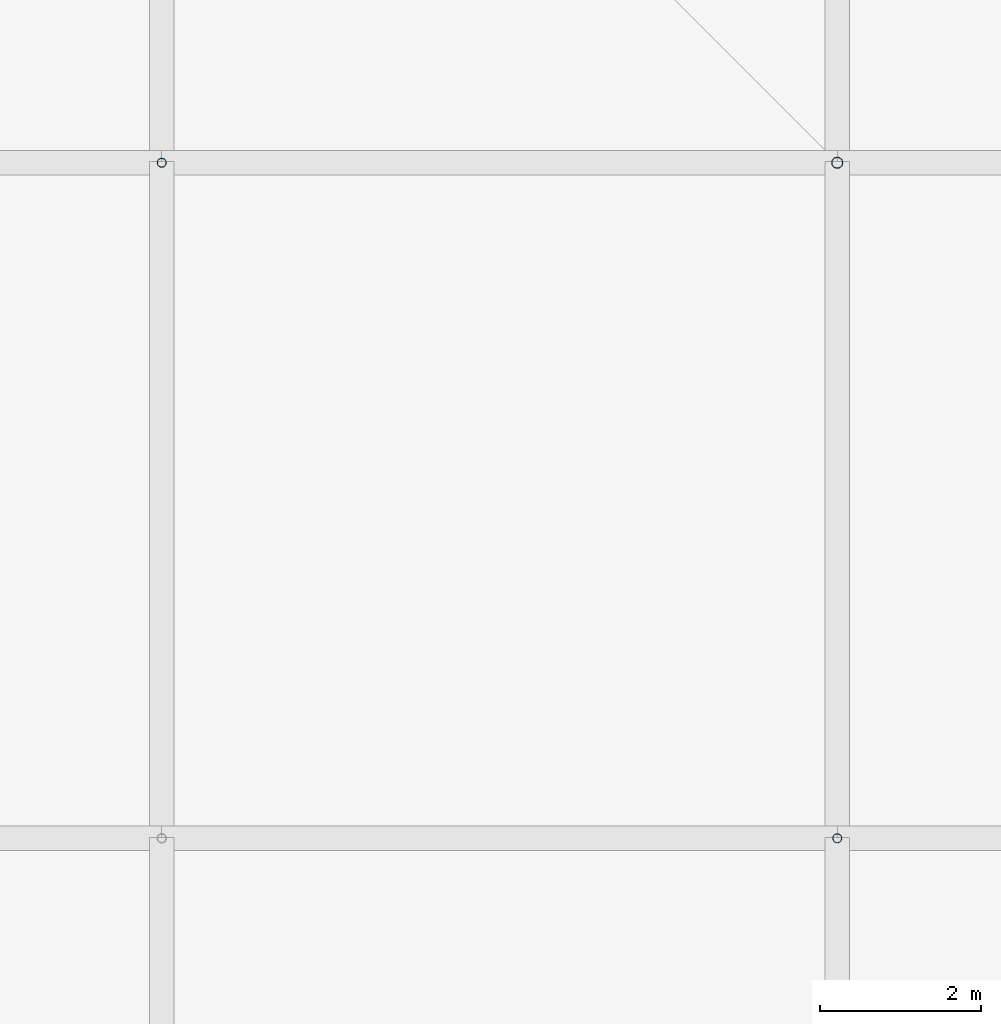
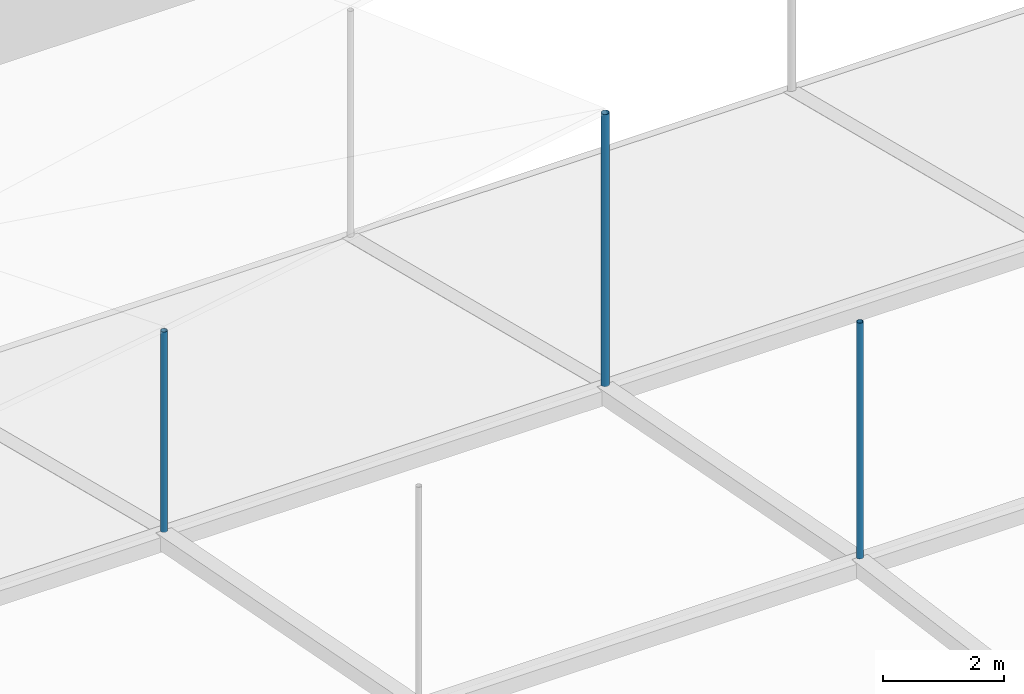
# One storey, part 55 of 111: 3 discrete accessories.
"""IFC4 building model written with IfcOpenShell, lengths in metres."""

from ifc_helpers import new_model, si_unit, direction, frame, origin, origin_2d, place, context, subcontext, project, spatial, hollow_circle, extrude, material, material_profile, profile_set, type_object, element, save


model = new_model("IFC4")

# Units and contexts
model_context = context("Model", 3, precision=1e-05, world=origin(), true_north=direction((0.0, 1.0)))
body_context = subcontext(model_context, "Body", "Model", "MODEL_VIEW")
ifc_project = project(units=[si_unit("LENGTHUNIT", "METRE"), si_unit("AREAUNIT", "SQUARE_METRE"), si_unit("VOLUMEUNIT", "CUBIC_METRE"), si_unit("PLANEANGLEUNIT", "RADIAN"), si_unit("MASSUNIT", "GRAM", prefix="KILO")], contexts=[model_context])

# Site, building, storey
site_placement = place(None, origin())
site = spatial("IfcSite", under=ifc_project, at=site_placement, CompositionType="ELEMENT")
building_placement = place(site_placement, origin())
building = spatial("IfcBuilding", under=site, at=building_placement, Name="Rain Tree Exposition and Congress Centre", CompositionType="ELEMENT")
storey_placement = place(building_placement, frame((0.0, 0.0, 19.5)))
storey = spatial("IfcBuildingStorey", under=building, at=storey_placement, Name="RF", CompositionType="ELEMENT", Elevation=19.5)

# Discrete accessories
ifc_material_1 = material(Name="Steel S355J2H", Category="steel")
ifc_material_profile_1 = material_profile(ifc_material_1, hollow_circle(Radius=0.05712890625, WallThickness=0.00439453125, at=origin_2d()), Name="CHS 114x4.5")
ifc_profile_set_1 = profile_set([ifc_material_profile_1], Name="Steel S355J2H")
discrete_accessory_type_1 = type_object("IfcDiscreteAccessoryType", Name="Roof skin post CHS 114x4.5", PredefinedType="BRACKET", material=ifc_profile_set_1)
discrete_accessory_1_placement = place(storey_placement, frame((25.199951171875, 176.39990234375, 4.843017578125), z_axis=(0.0, 0.0, 1.0), x_axis=(1.0, 0.0, 0.0)))
element("IfcDiscreteAccessory", 1, at=discrete_accessory_1_placement, inside=storey, type_object=discrete_accessory_type_1, Name="Roof skin post A138", PredefinedType="BRACKET", context=body_context, shape_type="SweptSolid", body=[
    extrude(hollow_circle(Radius=0.05712890625, WallThickness=0.00439453125, at=origin_2d()), origin(), (0.0, 0.0, 1.0), 4.748046875),
])
discrete_accessory_2_placement = place(storey_placement, frame((16.800048828125, 184.800048828125, 3.22412109375), z_axis=(0.0, 0.0, 1.0), x_axis=(1.0, 0.0, 0.0)))
element("IfcDiscreteAccessory", 2, at=discrete_accessory_2_placement, inside=storey, type_object=discrete_accessory_type_1, Name="Roof skin post A152", PredefinedType="BRACKET", context=body_context, shape_type="SweptSolid", body=[
    extrude(hollow_circle(Radius=0.05712890625, WallThickness=0.00439453125, at=origin_2d()), origin(), (0.0, 0.0, 1.0), 4.03466796875),
])
ifc_material_2 = material(Name="Steel S355J2H", Category="steel")
ifc_material_profile_2 = material_profile(ifc_material_2, hollow_circle(Radius=0.06982421875, WallThickness=0.0048828125, at=origin_2d()), Name="CHS 140x5")
ifc_profile_set_2 = profile_set([ifc_material_profile_2], Name="Steel S355J2H")
discrete_accessory_type_2 = type_object("IfcDiscreteAccessoryType", Name="Roof skin post CHS 140x5", PredefinedType="BRACKET", material=ifc_profile_set_2)
discrete_accessory_3_placement = place(storey_placement, frame((25.199951171875, 184.800048828125, 3.22412109375), z_axis=(0.0, 0.0, 1.0), x_axis=(1.0, 0.0, 0.0)))
element("IfcDiscreteAccessory", 3, at=discrete_accessory_3_placement, inside=storey, type_object=discrete_accessory_type_2, Name="Roof skin post A153", PredefinedType="BRACKET", context=body_context, shape_type="SweptSolid", body=[
    extrude(hollow_circle(Radius=0.06982421875, WallThickness=0.0048828125, at=origin_2d()), origin(), (0.0, 0.0, 1.0), 5.480224609375),
])

save(model, "model.ifc")
